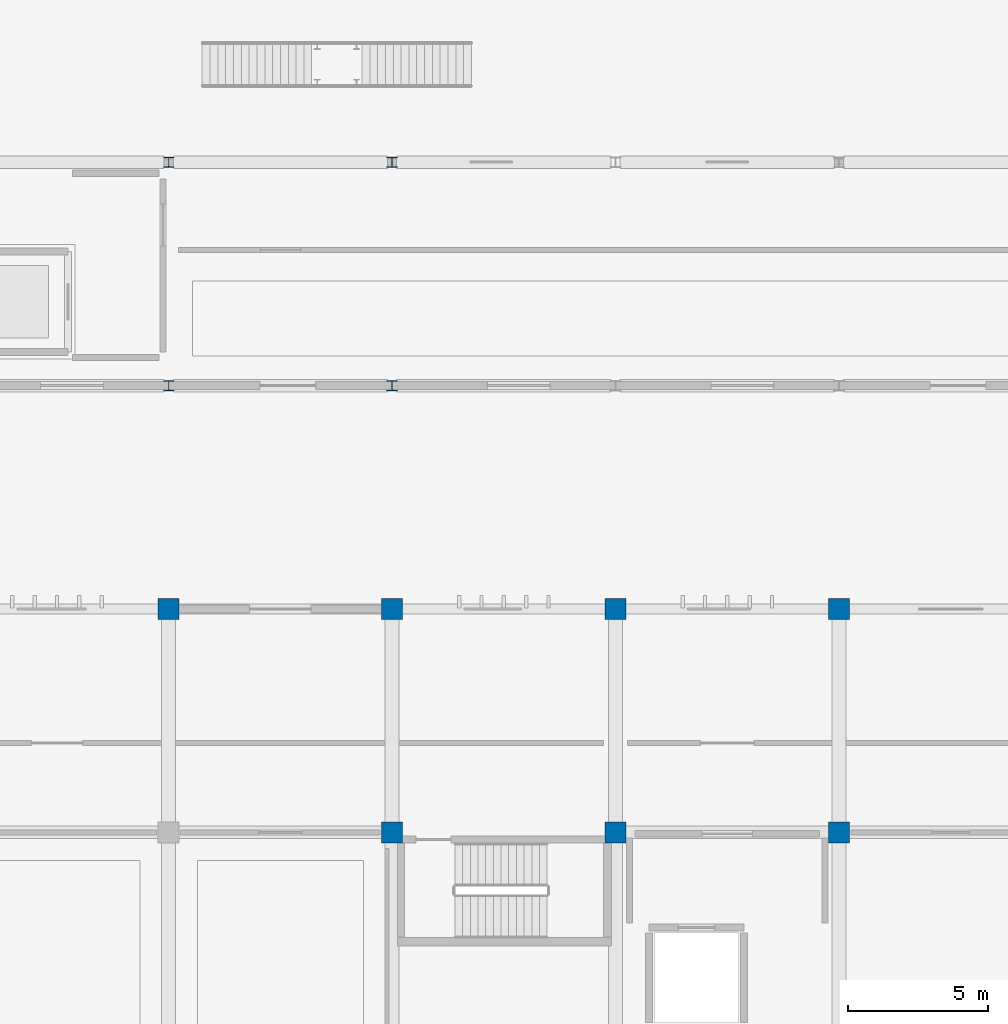
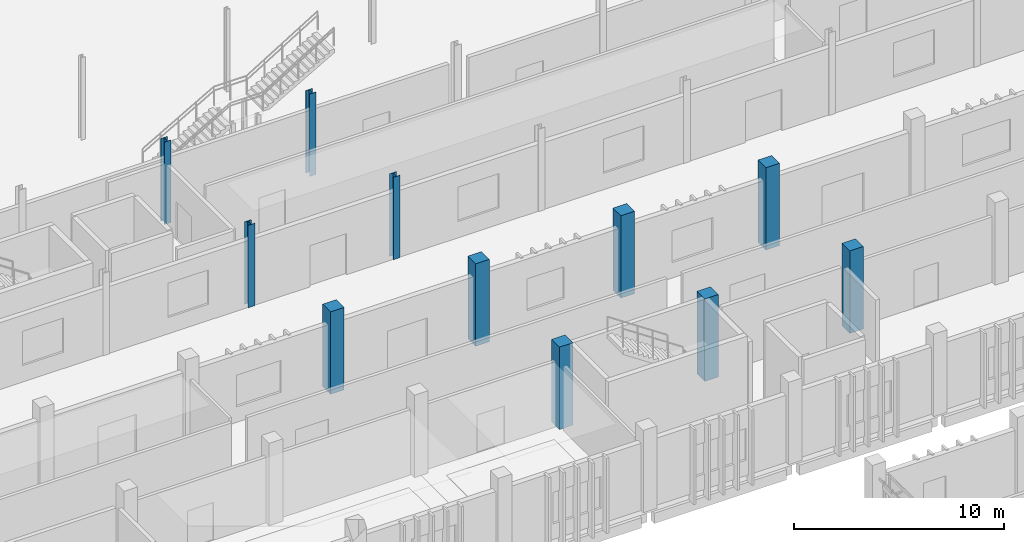
# One storey, part 8 of 117: 11 columns.
"""IFC4 building model written with IfcOpenShell, lengths in metres."""

from ifc_helpers import new_model, si_unit, direction, frame, origin, origin_2d, place, context, subcontext, project, spatial, rectangle, i_section, extrude, material, material_profile, profile_set, type_object, element, save


model = new_model("IFC4")

# Units and contexts
model_context = context("Model", 3, precision=1e-05, world=origin(), true_north=direction((0.0, 1.0)))
body_context = subcontext(model_context, "Body", "Model", "MODEL_VIEW")
ifc_project = project(units=[si_unit("LENGTHUNIT", "METRE"), si_unit("AREAUNIT", "SQUARE_METRE"), si_unit("VOLUMEUNIT", "CUBIC_METRE"), si_unit("PLANEANGLEUNIT", "RADIAN"), si_unit("MASSUNIT", "GRAM", prefix="KILO")], contexts=[model_context])

# Site, building, storey
site_placement = place(None, origin())
site = spatial("IfcSite", under=ifc_project, at=site_placement, CompositionType="ELEMENT")
building_placement = place(site_placement, origin())
building = spatial("IfcBuilding", under=site, at=building_placement, Name="Jelvoka-Kovrelna Polytechnic", CompositionType="ELEMENT")
storey_placement = place(building_placement, origin())
storey = spatial("IfcBuildingStorey", under=building, at=storey_placement, Name="L01", CompositionType="ELEMENT", Elevation=0.0)

# Columns
ifc_material_1 = material(Name="Concrete C40/50", Category="concrete")
ifc_material_profile_1 = material_profile(ifc_material_1, rectangle(XDim=0.75, YDim=0.75, at=origin_2d()), Name="RC 750x750")
ifc_profile_set_1 = profile_set([ifc_material_profile_1], Name="Concrete C40/50")
column_type_1 = type_object("IfcColumnType", Name="Col_RC_750", PredefinedType="COLUMN", material=ifc_profile_set_1)
for number, where, z_axis, x_axis, name in (
    (1, (120.0, 64.0, 0.0), (0.0, 0.0, 1.0), (1.0, 0.0, 0.0), "L01 column 1214"),
    (2, (128.0, 64.0, 0.0), (0.0, 0.0, 1.0), (1.0, 0.0, 0.0), "L01 column 1223"),
    (3, (136.0, 64.0, 0.0), (0.0, 0.0, 1.0), (1.0, 0.0, 0.0), "L01 column 1232"),
    (4, (112.0, 72.0, 0.0), (0.0, 0.0, 1.0), (1.0, 0.0, 0.0), "L01 column 1366"),
    (5, (120.0, 72.0, 0.0), (0.0, 0.0, 1.0), (1.0, 0.0, 0.0), "L01 column 1375"),
    (6, (128.0, 72.0, 0.0), (0.0, 0.0, 1.0), (1.0, 0.0, 0.0), "L01 column 1384"),
    (7, (136.0, 72.0, 0.0), (0.0, 0.0, 1.0), (1.0, 0.0, 0.0), "L01 column 1393"),
):
    element("IfcColumn", number, at=place(storey_placement, frame(where, z_axis=z_axis, x_axis=x_axis)), inside=storey, type_object=column_type_1, Name=name, PredefinedType="COLUMN", context=body_context, shape_type="SweptSolid", body=[
        extrude(rectangle(XDim=0.75, YDim=0.75, at=origin_2d()), origin(), (0.0, 0.0, 1.0), 4.800048828125),
    ])
ifc_material_2 = material(Name="Structural steel S355JR", Category="steel")
ifc_material_profile_2 = material_profile(ifc_material_2, i_section(OverallWidth=0.36865234375, OverallDepth=0.355712890625, WebThickness=0.010498046875, FlangeThickness=0.017578125, FilletRadius=0.01513671875, at=origin_2d()), Name="356x368x129 UC")
ifc_profile_set_2 = profile_set([ifc_material_profile_2], Name="Structural steel S355JR")
column_type_2 = type_object("IfcColumnType", Name="Col_Steel_UC356", PredefinedType="COLUMN", material=ifc_profile_set_2)
for number, where, z_axis, x_axis, name in (
    (8, (112.0, 80.0, 0.0), (0.0, 0.0, 1.0), (1.0, 0.0, 0.0), "L01 column 1486"),
    (9, (120.0, 80.0, 0.0), (0.0, 0.0, 1.0), (1.0, 0.0, 0.0), "L01 column 1489"),
    (10, (112.0, 88.0, 0.0), (0.0, 0.0, 1.0), (1.0, 0.0, 0.0), "L01 column 1541"),
    (11, (120.0, 88.0, 0.0), (0.0, 0.0, 1.0), (1.0, 0.0, 0.0), "L01 column 1544"),
):
    element("IfcColumn", number, at=place(storey_placement, frame(where, z_axis=z_axis, x_axis=x_axis)), inside=storey, type_object=column_type_2, Name=name, PredefinedType="COLUMN", context=body_context, shape_type="SweptSolid", body=[
        extrude(i_section(OverallWidth=0.36865234375, OverallDepth=0.355712890625, WebThickness=0.010498046875, FlangeThickness=0.017578125, FilletRadius=0.01513671875, at=origin_2d()), origin(), (0.0, 0.0, 1.0), 4.800048828125),
    ])

save(model, "model.ifc")
